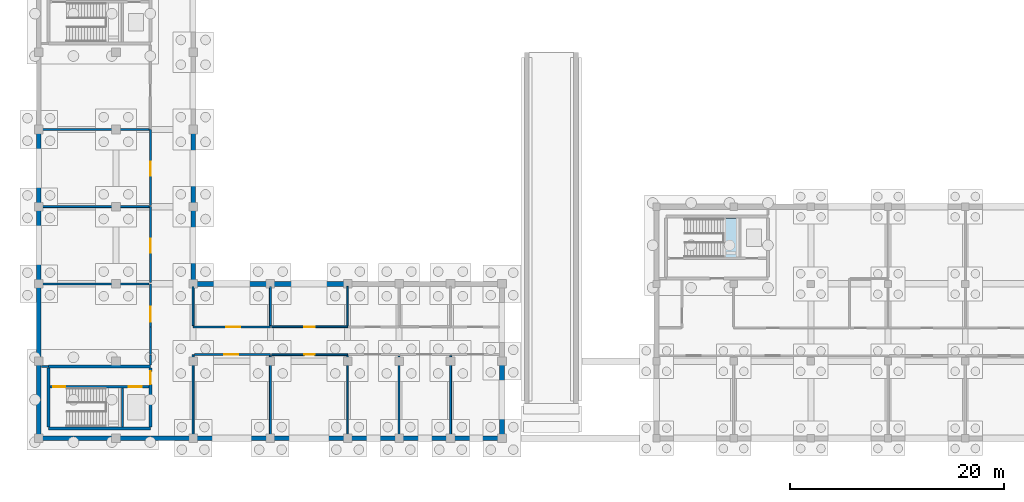
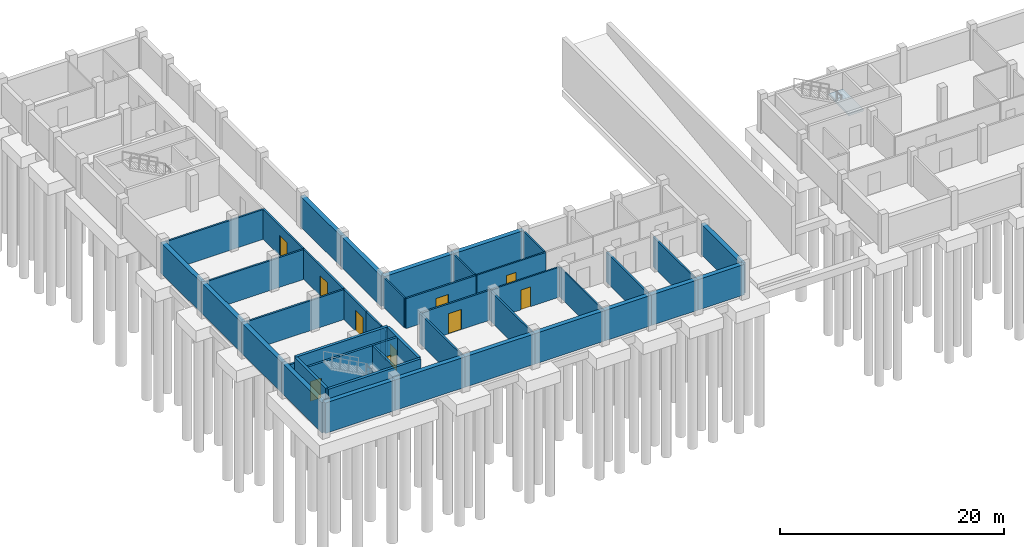
# One storey, part 4 of 10: 43 walls, 10 doors, 1 slab, 10 openings, 1 element without a shape of its own.
"""IFC4 building model written with IfcOpenShell, lengths in metres."""

from ifc_helpers import new_model, si_unit, direction, frame, frame_2d, origin, place, context, subcontext, project, spatial, polyline, rectangle, outline, extrude, material, layer, layer_set, type_object, element, fill, aggregate, save


model = new_model("IFC4")

# Units and contexts
model_context = context("Model", 3, precision=1e-05, world=origin(), true_north=direction((0.0, 1.0)))
body_context = subcontext(model_context, "Body", "Model", "MODEL_VIEW")
ifc_project = project(units=[si_unit("LENGTHUNIT", "METRE"), si_unit("AREAUNIT", "SQUARE_METRE"), si_unit("VOLUMEUNIT", "CUBIC_METRE"), si_unit("PLANEANGLEUNIT", "RADIAN"), si_unit("MASSUNIT", "GRAM", prefix="KILO")], contexts=[model_context])

# Site, building, storey
site_placement = place(None, origin())
site = spatial("IfcSite", under=ifc_project, at=site_placement, CompositionType="ELEMENT")
building_placement = place(site_placement, origin())
building = spatial("IfcBuilding", under=site, at=building_placement, Name="Zornivar Specialist Clinic", CompositionType="ELEMENT")
storey_placement = place(building_placement, frame((0.0, 0.0, -4.199951171875)))
storey = spatial("IfcBuildingStorey", under=building, at=storey_placement, Name="B1", CompositionType="ELEMENT", Elevation=-4.199951171875)

# Stair, slab
ifc_material_1 = material(Name="Concrete C30/37", Category="concrete")
stair_type = type_object("IfcStairType", Name="STR-CORE-B1-L00", PredefinedType="HALF_TURN_STAIR", material=ifc_material_1)
stair_placement = place(storey_placement, origin())
stair = element("IfcStair", 1, at=stair_placement, inside=storey, type_object=stair_type, Name="stair:C5:B1", PredefinedType="HALF_TURN_STAIR")
ifc_material_2 = material(Name="Concrete C30/37", Category="concrete")
ifc_layer_1 = layer(ifc_material_2, 0.2099609375)
ifc_layer_set_1 = layer_set([ifc_layer_1], Name="Concrete C30/37")
slab_type = type_object("IfcSlabType", Name="SLB-LANDING-210", PredefinedType="LANDING", material=ifc_layer_set_1)
slab_placement = place(storey_placement, frame((0.0, 0.0, 1.889892578125)))
slab = element("IfcSlab", 2, at=slab_placement, type_object=slab_type, Name="stair:C5:B1:land", PredefinedType="LANDING", context=body_context, shape_type="SweptSolid", body=[
    extrude(outline(polyline([(63.820068359375, 16.8798828125), (65.320068359375, 16.8798828125), (65.320068359375, 20.52001953125), (63.820068359375, 20.52001953125), (63.820068359375, 16.8798828125)])), origin(), (0.0, 0.0, 1.0), 0.2099609375),
])
aggregate(stair, [slab])

# Walls
ifc_material_3 = material(Name="Acoustic Clinical Stud Partition")
ifc_layer_2 = layer(ifc_material_3, 0.139892578125)
ifc_layer_set_2 = layer_set([ifc_layer_2], Name="Acoustic Clinical Stud Partition")
wall_type_1 = type_object("IfcWallType", Name="IW-CLIN-140", PredefinedType="PARTITIONING", material=ifc_layer_set_2)
wall_1_placement = place(storey_placement, frame((28.800048828125, 7.7060546875, 0.0), z_axis=(0.0, 0.0, 1.0), x_axis=(0.0, -1.0, 0.0)))
element("IfcWall", 3, at=wall_1_placement, inside=storey, type_object=wall_type_1, Name="iw:B1:026", PredefinedType="PARTITIONING", context=body_context, shape_type="SweptSolid", body=[
    extrude(rectangle(XDim=7.466064453125, YDim=0.139892578125, at=frame_2d((3.73291015625, 0.0))), origin(), (0.0, 0.0, 1.0), 3.260009765625),
])
wall_2_placement = place(storey_placement, frame((28.800048828125, 14.159912109375, 0.0), z_axis=(0.0, 0.0, 1.0), x_axis=(0.0, -1.0, 0.0)))
element("IfcWall", 4, at=wall_2_placement, inside=storey, type_object=wall_type_1, Name="iw:B1:028", PredefinedType="PARTITIONING", context=body_context, shape_type="SweptSolid", body=[
    extrude(rectangle(XDim=3.666015625, YDim=0.139892578125, at=frame_2d((1.8330078125, 0.0))), origin(), (0.0, 0.0, 1.0), 3.260009765625),
])

# Wall, opening, door
ifc_material_4 = material(Name="Fire-Compartment Shaft-Liner Partition")
ifc_layer_3 = layer(ifc_material_4, 0.179931640625)
ifc_layer_set_3 = layer_set([ifc_layer_3], Name="Fire-Compartment Shaft-Liner Partition")
wall_type_2 = type_object("IfcWallType", Name="IW-COMP-EI90-180", PredefinedType="PARTITIONING", material=ifc_layer_set_3)
wall_3_placement = place(storey_placement, frame((10.39990234375, 21.60009765625, 0.0), z_axis=(0.0, 0.0, 1.0), x_axis=(0.0, -1.0, 0.0)))
wall_3 = element("IfcWall", 5, at=wall_3_placement, inside=storey, type_object=wall_type_2, Name="iw:B1:005", PredefinedType="PARTITIONING", context=body_context, shape_type="SweptSolid", body=[
    extrude(rectangle(XDim=7.091064453125, YDim=0.179931640625, at=frame_2d((3.54541015625, 0.0))), origin(), (0.0, 0.0, 1.0), 3.260009765625),
])
opening_1_placement = place(wall_3_placement, frame((3.010986328125, 0.0, 0.0)))
opening_1 = element("IfcOpeningElement", 6, at=opening_1_placement, cuts=wall_3, Name="Opening FD-05", PredefinedType="OPENING", context=body_context, shape_type="SweptSolid", body=[
    extrude(rectangle(XDim=1.300048828125, YDim=2.199951171875, at=frame_2d((0.64990234375, 1.10009765625))), frame((0.0, 0.099853515625, 0.0), z_axis=(0.0, -1.0, 0.0), x_axis=(1.0, 0.0, 0.0)), (0.0, 0.0, 1.0), 0.199951171875),
])
ifc_material_5 = material(Name="Solid-Core Hygienic Laminate Timber Door", Category="wood")
door_type_1 = type_object("IfcDoorType", Name="FD-PLANT-1300x2200", OperationType="NOTDEFINED", PredefinedType="DOOR", material=ifc_material_5)
door_1_placement = place(opening_1_placement, origin())
door_1 = element("IfcDoor", 7, at=door_1_placement, inside=storey, type_object=door_type_1, Name="door:space:V2:B1:rm:01", OperationType="SINGLE_SWING_LEFT", OverallHeight=2.199951171875, OverallWidth=1.300048828125, PredefinedType="DOOR", context=body_context, shape_type="SweptSolid", body=[
    extrude(rectangle(XDim=1.300048828125, YDim=2.199951171875, at=frame_2d((0.64990234375, 1.10009765625))), frame((0.0, 0.02490234375, 0.0), z_axis=(0.0, -1.0, 0.0), x_axis=(1.0, 0.0, 0.0)), (0.0, 0.0, 1.0), 0.050048828125),
])
fill(opening_1, door_1)

# Wall
wall_4_placement = place(storey_placement, frame((0.239990234375, 21.60009765625, 0.0), z_axis=(0.0, 0.0, 1.0), x_axis=(1.0, 0.0, 0.0)))
element("IfcWall", 8, at=wall_4_placement, inside=storey, type_object=wall_type_2, Name="iw:B1:006", PredefinedType="PARTITIONING", context=body_context, shape_type="SweptSolid", body=[
    extrude(rectangle(XDim=10.055908203125, YDim=0.179931640625, at=frame_2d((5.02783203125, 0.0))), origin(), (0.0, 0.0, 1.0), 3.260009765625),
])

# Wall, opening, door
wall_5_placement = place(storey_placement, frame((10.39990234375, 28.800048828125, 0.0), z_axis=(0.0, 0.0, 1.0), x_axis=(0.0, -1.0, 0.0)))
wall_5 = element("IfcWall", 9, at=wall_5_placement, inside=storey, type_object=wall_type_2, Name="iw:B1:007", PredefinedType="PARTITIONING", context=body_context, shape_type="SweptSolid", body=[
    extrude(rectangle(XDim=7.095947265625, YDim=0.179931640625, at=frame_2d((3.5478515625, 0.0))), origin(), (0.0, 0.0, 1.0), 3.260009765625),
])
opening_2_placement = place(wall_5_placement, frame((3.012939453125, 0.0, 0.0)))
opening_2 = element("IfcOpeningElement", 10, at=opening_2_placement, cuts=wall_5, Name="Opening FD-05", PredefinedType="OPENING", context=body_context, shape_type="SweptSolid", body=[
    extrude(rectangle(XDim=1.300048828125, YDim=2.199951171875, at=frame_2d((0.64990234375, 1.10009765625))), frame((0.0, 0.099853515625, 0.0), z_axis=(0.0, -1.0, 0.0), x_axis=(1.0, 0.0, 0.0)), (0.0, 0.0, 1.0), 0.199951171875),
])
door_2_placement = place(opening_2_placement, origin())
door_2 = element("IfcDoor", 11, at=door_2_placement, inside=storey, type_object=door_type_1, Name="door:space:V2:B1:rm:02", OperationType="SINGLE_SWING_RIGHT", OverallHeight=2.199951171875, OverallWidth=1.300048828125, PredefinedType="DOOR", context=body_context, shape_type="SweptSolid", body=[
    extrude(rectangle(XDim=1.300048828125, YDim=2.199951171875, at=frame_2d((0.64990234375, 1.10009765625))), frame((0.0, 0.02490234375, 0.0), z_axis=(0.0, -1.0, 0.0), x_axis=(1.0, 0.0, 0.0)), (0.0, 0.0, 1.0), 0.050048828125),
])
fill(opening_2, door_2)

# Walls
wall_6_placement = place(storey_placement, frame((0.239990234375, 28.800048828125, 0.0), z_axis=(0.0, 0.0, 1.0), x_axis=(1.0, 0.0, 0.0)))
element("IfcWall", 12, at=wall_6_placement, inside=storey, type_object=wall_type_2, Name="iw:B1:008", PredefinedType="PARTITIONING", context=body_context, shape_type="SweptSolid", body=[
    extrude(rectangle(XDim=10.055908203125, YDim=0.179931640625, at=frame_2d((5.02783203125, 0.0))), origin(), (0.0, 0.0, 1.0), 3.260009765625),
])
wall_7_placement = place(storey_placement, frame((14.39990234375, 0.239990234375, 0.0), z_axis=(0.0, 0.0, 1.0), x_axis=(0.0, 1.0, 0.0)))
element("IfcWall", 13, at=wall_7_placement, inside=storey, type_object=wall_type_2, Name="iw:B1:019", PredefinedType="PARTITIONING", context=body_context, shape_type="SweptSolid", body=[
    extrude(rectangle(XDim=7.56005859375, YDim=0.179931640625, at=frame_2d((3.780029296875, 0.0))), origin(), (0.0, 0.0, 1.0), 3.260009765625),
])

# Wall, opening, door
wall_8_placement = place(storey_placement, frame((14.50390625, 7.800048828125, 0.0), z_axis=(0.0, 0.0, 1.0), x_axis=(1.0, 0.0, 0.0)))
wall_8 = element("IfcWall", 14, at=wall_8_placement, inside=storey, type_object=wall_type_2, Name="iw:B1:020", PredefinedType="PARTITIONING", context=body_context, shape_type="SweptSolid", body=[
    extrude(rectangle(XDim=7.09619140625, YDim=0.179931640625, at=frame_2d((3.548095703125, 0.0))), origin(), (0.0, 0.0, 1.0), 3.260009765625),
])
opening_3_placement = place(wall_8_placement, frame((2.782958984375, 0.0, 0.0)))
opening_3 = element("IfcOpeningElement", 15, at=opening_3_placement, cuts=wall_8, Name="Opening FD-05", PredefinedType="OPENING", context=body_context, shape_type="SweptSolid", body=[
    extrude(rectangle(XDim=1.300048828125, YDim=2.199951171875, at=frame_2d((0.64990234375, 1.10009765625))), frame((0.0, 0.099853515625, 0.0), z_axis=(0.0, -1.0, 0.0), x_axis=(1.0, 0.0, 0.0)), (0.0, 0.0, 1.0), 0.199951171875),
])
door_3_placement = place(opening_3_placement, origin())
door_3 = element("IfcDoor", 16, at=door_3_placement, inside=storey, type_object=door_type_1, Name="door:space:V2:B1:rm:08", OperationType="SINGLE_SWING_RIGHT", OverallHeight=2.199951171875, OverallWidth=1.300048828125, PredefinedType="DOOR", context=body_context, shape_type="SweptSolid", body=[
    extrude(rectangle(XDim=1.300048828125, YDim=2.199951171875, at=frame_2d((0.64990234375, 1.10009765625))), frame((0.0, 0.02490234375, 0.0), z_axis=(0.0, -1.0, 0.0), x_axis=(1.0, 0.0, 0.0)), (0.0, 0.0, 1.0), 0.050048828125),
])
fill(opening_3, door_3)

# Wall
wall_9_placement = place(storey_placement, frame((21.60009765625, 7.696044921875, 0.0), z_axis=(0.0, 0.0, 1.0), x_axis=(0.0, -1.0, 0.0)))
element("IfcWall", 17, at=wall_9_placement, inside=storey, type_object=wall_type_2, Name="iw:B1:021", PredefinedType="PARTITIONING", context=body_context, shape_type="SweptSolid", body=[
    extrude(rectangle(XDim=7.4560546875, YDim=0.179931640625, at=frame_2d((3.72802734375, 0.0))), origin(), (0.0, 0.0, 1.0), 3.260009765625),
])

# Wall, opening, door
wall_10_placement = place(storey_placement, frame((21.60009765625, 10.39990234375, 0.0), z_axis=(0.0, 0.0, 1.0), x_axis=(-1.0, 0.0, 0.0)))
wall_10 = element("IfcWall", 18, at=wall_10_placement, inside=storey, type_object=wall_type_2, Name="iw:B1:022", PredefinedType="PARTITIONING", context=body_context, shape_type="SweptSolid", body=[
    extrude(rectangle(XDim=7.2001953125, YDim=0.179931640625, at=frame_2d((3.60009765625, 0.0))), origin(), (0.0, 0.0, 1.0), 3.260009765625),
])
opening_4_placement = place(wall_10_placement, frame((2.83203125, 0.0, 0.0)))
opening_4 = element("IfcOpeningElement", 19, at=opening_4_placement, cuts=wall_10, Name="Opening FD-05", PredefinedType="OPENING", context=body_context, shape_type="SweptSolid", body=[
    extrude(rectangle(XDim=1.300048828125, YDim=2.199951171875, at=frame_2d((0.64990234375, 1.10009765625))), frame((0.0, 0.099853515625, 0.0), z_axis=(0.0, -1.0, 0.0), x_axis=(1.0, 0.0, 0.0)), (0.0, 0.0, 1.0), 0.199951171875),
])
door_4_placement = place(opening_4_placement, origin())
door_4 = element("IfcDoor", 20, at=door_4_placement, inside=storey, type_object=door_type_1, Name="door:space:V2:B1:rm:09", OperationType="SINGLE_SWING_LEFT", OverallHeight=2.199951171875, OverallWidth=1.300048828125, PredefinedType="DOOR", context=body_context, shape_type="SweptSolid", body=[
    extrude(rectangle(XDim=1.300048828125, YDim=2.199951171875, at=frame_2d((0.64990234375, 1.10009765625))), frame((0.0, 0.02490234375, 0.0), z_axis=(0.0, -1.0, 0.0), x_axis=(1.0, 0.0, 0.0)), (0.0, 0.0, 1.0), 0.050048828125),
])
fill(opening_4, door_4)

# Walls
for number, where, z_axis, x_axis, name in (
    (21, (14.39990234375, 10.50390625, 0.0), (0.0, 0.0, 1.0), (0.0, 1.0, 0.0), "iw:B1:023"),
    (22, (21.60009765625, 14.159912109375, 0.0), (0.0, 0.0, 1.0), (0.0, -1.0, 0.0), "iw:B1:024"),
):
    element("IfcWall", number, at=place(storey_placement, frame(where, z_axis=z_axis, x_axis=x_axis)), inside=storey, type_object=wall_type_2, Name=name, PredefinedType="PARTITIONING", context=body_context, shape_type="SweptSolid", body=[
        extrude(rectangle(XDim=3.656005859375, YDim=0.179931640625, at=frame_2d((1.828125, 0.0))), origin(), (0.0, 0.0, 1.0), 3.260009765625),
    ])
wall_11_placement = place(storey_placement, frame((38.39990234375, 7.696044921875, 0.0), z_axis=(0.0, 0.0, 1.0), x_axis=(0.0, -1.0, 0.0)))
element("IfcWall", 23, at=wall_11_placement, inside=storey, type_object=wall_type_2, Name="iw:B1:034", PredefinedType="PARTITIONING", context=body_context, shape_type="SweptSolid", body=[
    extrude(rectangle(XDim=7.4560546875, YDim=0.179931640625, at=frame_2d((3.72802734375, 0.0))), origin(), (0.0, 0.0, 1.0), 3.260009765625),
])

# Wall, opening, door
ifc_material_6 = material(Name="Gypsum Fire-Rated Double Stud Partition")
ifc_layer_4 = layer(ifc_material_6, 0.159912109375)
ifc_layer_set_4 = layer_set([ifc_layer_4], Name="Gypsum Fire-Rated Double Stud Partition")
wall_type_3 = type_object("IfcWallType", Name="IW-CORR-EI60-160", PredefinedType="PARTITIONING", material=ifc_layer_set_4)
wall_12_placement = place(storey_placement, frame((21.7041015625, 7.800048828125, 0.0), z_axis=(0.0, 0.0, 1.0), x_axis=(1.0, 0.0, 0.0)))
wall_12 = element("IfcWall", 24, at=wall_12_placement, inside=storey, type_object=wall_type_3, Name="iw:B1:025", PredefinedType="PARTITIONING", context=body_context, shape_type="SweptSolid", body=[
    extrude(rectangle(XDim=7.095947265625, YDim=0.159912109375, at=frame_2d((3.5478515625, 0.0))), origin(), (0.0, 0.0, 1.0), 3.260009765625),
])
opening_5_placement = place(wall_12_placement, frame((3.05810546875, 0.0, 0.0)))
opening_5 = element("IfcOpeningElement", 25, at=opening_5_placement, cuts=wall_12, Name="Opening ID-09", PredefinedType="OPENING", context=body_context, shape_type="SweptSolid", body=[
    extrude(rectangle(XDim=0.97998046875, YDim=2.14990234375, at=frame_2d((0.489990234375, 1.074951171875))), frame((0.0, 0.08984375, 0.0), z_axis=(0.0, -1.0, 0.0), x_axis=(1.0, 0.0, 0.0)), (0.0, 0.0, 1.0), 0.179931640625),
])
ifc_material_7 = material(Name="Solid-Core Hygienic Laminate Timber Door", Category="wood")
door_type_2 = type_object("IfcDoorType", Name="ID-STAFF-0980x2150", OperationType="NOTDEFINED", PredefinedType="DOOR", material=ifc_material_7)
door_5_placement = place(opening_5_placement, origin())
door_5 = element("IfcDoor", 26, at=door_5_placement, inside=storey, type_object=door_type_2, Name="door:space:V2:B1:rm:10", OperationType="SINGLE_SWING_RIGHT", OverallHeight=2.14990234375, OverallWidth=0.97998046875, PredefinedType="DOOR", context=body_context, shape_type="SweptSolid", body=[
    extrude(rectangle(XDim=0.97998046875, YDim=2.14990234375, at=frame_2d((0.489990234375, 1.074951171875))), frame((0.0, 0.02490234375, 0.0), z_axis=(0.0, -1.0, 0.0), x_axis=(1.0, 0.0, 0.0)), (0.0, 0.0, 1.0), 0.050048828125),
])
fill(opening_5, door_5)

wall_13_placement = place(storey_placement, frame((28.800048828125, 10.39990234375, 0.0), z_axis=(0.0, 0.0, 1.0), x_axis=(-1.0, 0.0, 0.0)))
wall_13 = element("IfcWall", 27, at=wall_13_placement, inside=storey, type_object=wall_type_3, Name="iw:B1:027", PredefinedType="PARTITIONING", context=body_context, shape_type="SweptSolid", body=[
    extrude(rectangle(XDim=7.095947265625, YDim=0.159912109375, at=frame_2d((3.5478515625, 0.0))), origin(), (0.0, 0.0, 1.0), 3.260009765625),
])
opening_6_placement = place(wall_13_placement, frame((3.05810546875, 0.0, 0.0)))
opening_6 = element("IfcOpeningElement", 28, at=opening_6_placement, cuts=wall_13, Name="Opening ID-09", PredefinedType="OPENING", context=body_context, shape_type="SweptSolid", body=[
    extrude(rectangle(XDim=0.97998046875, YDim=2.14990234375, at=frame_2d((0.489990234375, 1.074951171875))), frame((0.0, 0.08984375, 0.0), z_axis=(0.0, -1.0, 0.0), x_axis=(1.0, 0.0, 0.0)), (0.0, 0.0, 1.0), 0.179931640625),
])
door_6_placement = place(opening_6_placement, origin())
door_6 = element("IfcDoor", 29, at=door_6_placement, inside=storey, type_object=door_type_2, Name="door:space:V2:B1:rm:11", OperationType="SINGLE_SWING_LEFT", OverallHeight=2.14990234375, OverallWidth=0.97998046875, PredefinedType="DOOR", context=body_context, shape_type="SweptSolid", body=[
    extrude(rectangle(XDim=0.97998046875, YDim=2.14990234375, at=frame_2d((0.489990234375, 1.074951171875))), frame((0.0, 0.02490234375, 0.0), z_axis=(0.0, -1.0, 0.0), x_axis=(1.0, 0.0, 0.0)), (0.0, 0.0, 1.0), 0.050048828125),
])
fill(opening_6, door_6)

ifc_material_8 = material(Name="GMP Cleanroom Insulated Double Partition")
ifc_layer_5 = layer(ifc_material_8, 0.18994140625)
ifc_layer_set_5 = layer_set([ifc_layer_5], Name="GMP Cleanroom Insulated Double Partition")
wall_type_4 = type_object("IfcWallType", Name="IW-PHARM-GMP-190", PredefinedType="PARTITIONING", material=ifc_layer_set_5)
wall_14_placement = place(storey_placement, frame((10.39990234375, 14.39990234375, 0.0), z_axis=(0.0, 0.0, 1.0), x_axis=(0.0, -1.0, 0.0)))
wall_14 = element("IfcWall", 30, at=wall_14_placement, inside=storey, type_object=wall_type_4, Name="iw:B1:000", PredefinedType="PARTITIONING", context=body_context, shape_type="SweptSolid", body=[
    extrude(rectangle(XDim=4.0, YDim=0.18994140625, at=frame_2d((2.0, 0.0))), origin(), (0.0, 0.0, 1.0), 3.260009765625),
])
opening_7_placement = place(wall_14_placement, frame((2.1201171875, 0.0, 0.0)))
opening_7 = element("IfcOpeningElement", 31, at=opening_7_placement, cuts=wall_14, Name="Opening FD-04", PredefinedType="OPENING", context=body_context, shape_type="SweptSolid", body=[
    extrude(rectangle(XDim=1.39990234375, YDim=2.25, at=frame_2d((0.699951171875, 1.125))), frame((0.0, 0.10498046875, 0.0), z_axis=(0.0, -1.0, 0.0), x_axis=(1.0, 0.0, 0.0)), (0.0, 0.0, 1.0), 0.2099609375),
])
ifc_material_9 = material(Name="Solid-Core Hygienic Laminate Timber Door", Category="wood")
door_type_3 = type_object("IfcDoorType", Name="FD-STERILE-1400x2250", OperationType="NOTDEFINED", PredefinedType="DOOR", material=ifc_material_9)
door_7_placement = place(opening_7_placement, origin())
door_7 = element("IfcDoor", 32, at=door_7_placement, inside=storey, type_object=door_type_3, Name="door:space:V2:B1:rm:00", OperationType="DOUBLE_DOOR_SINGLE_SWING", OverallHeight=2.25, OverallWidth=1.39990234375, PredefinedType="DOOR", context=body_context, shape_type="SweptSolid", body=[
    extrude(rectangle(XDim=1.39990234375, YDim=2.25, at=frame_2d((0.699951171875, 1.125))), frame((0.0, 0.02490234375, 0.0), z_axis=(0.0, -1.0, 0.0), x_axis=(1.0, 0.0, 0.0)), (0.0, 0.0, 1.0), 0.050048828125),
])
fill(opening_7, door_7)

# Walls
wall_15_placement = place(storey_placement, frame((10.39990234375, 10.387939453125, 0.0), z_axis=(0.0, 0.0, 1.0), x_axis=(0.0, -1.0, 0.0)))
element("IfcWall", 33, at=wall_15_placement, inside=storey, type_object=wall_type_4, Name="iw:B1:001", PredefinedType="PARTITIONING", context=body_context, shape_type="SweptSolid", body=[
    extrude(rectangle(XDim=2.587890625, YDim=0.18994140625, at=frame_2d((1.2939453125, 0.0))), origin(), (0.0, 0.0, 1.0), 3.260009765625),
])
wall_16_placement = place(storey_placement, frame((10.39990234375, 7.7880859375, 0.0), z_axis=(0.0, 0.0, 1.0), x_axis=(0.0, -1.0, 0.0)))
element("IfcWall", 34, at=wall_16_placement, inside=storey, type_object=wall_type_4, Name="iw:B1:002", PredefinedType="PARTITIONING", context=body_context, shape_type="SweptSolid", body=[
    extrude(rectangle(XDim=0.93310546875, YDim=0.18994140625, at=frame_2d((0.466552734375, 0.0))), origin(), (0.0, 0.0, 1.0), 3.260009765625),
])
wall_17_placement = place(storey_placement, frame((0.89990234375, 6.699951171875, 0.0), z_axis=(0.0, 0.0, 1.0), x_axis=(-1.0, 0.0, 0.0)))
element("IfcWall", 35, at=wall_17_placement, inside=storey, type_object=wall_type_4, Name="iw:B1:003", PredefinedType="PARTITIONING", context=body_context, shape_type="SweptSolid", body=[
    extrude(rectangle(XDim=0.659912109375, YDim=0.18994140625, at=frame_2d((0.330078125, 0.0))), origin(), (0.0, 0.0, 1.0), 3.260009765625),
])
wall_18_placement = place(storey_placement, frame((0.239990234375, 14.39990234375, 0.0), z_axis=(0.0, 0.0, 1.0), x_axis=(1.0, 0.0, 0.0)))
element("IfcWall", 36, at=wall_18_placement, inside=storey, type_object=wall_type_4, Name="iw:B1:004", PredefinedType="PARTITIONING", context=body_context, shape_type="SweptSolid", body=[
    extrude(rectangle(XDim=10.051025390625, YDim=0.18994140625, at=frame_2d((5.025390625, 0.0))), origin(), (0.0, 0.0, 1.0), 3.260009765625),
])
wall_19_placement = place(storey_placement, frame((33.60009765625, 7.69091796875, 0.0), z_axis=(0.0, 0.0, 1.0), x_axis=(0.0, -1.0, 0.0)))
element("IfcWall", 37, at=wall_19_placement, inside=storey, type_object=wall_type_4, Name="iw:B1:030", PredefinedType="PARTITIONING", context=body_context, shape_type="SweptSolid", body=[
    extrude(rectangle(XDim=7.450927734375, YDim=0.18994140625, at=frame_2d((3.7255859375, 0.0))), origin(), (0.0, 0.0, 1.0), 3.260009765625),
])
ifc_material_10 = material(Name="Concrete C35/45 Waterproofed Basement Retaining Wall", Category="concrete")
ifc_layer_6 = layer(ifc_material_10, 0.449951171875)
ifc_layer_set_6 = layer_set([ifc_layer_6], Name="Concrete C35/45 Waterproofed Basement Retaining Wall")
wall_type_5 = type_object("IfcWallType", Name="RW-B1-RETAIN-450", PredefinedType="ELEMENTEDWALL", material=ifc_layer_set_6)
for number, where, z_axis, x_axis, name in (
    (38, (0.0, 0.0, 0.0), (0.0, 0.0, 1.0), (1.0, 0.0, 0.0), "rw:V2:B1:00"),
    (39, (7.199951171875, 0.0, 0.0), (0.0, 0.0, 1.0), (1.0, 0.0, 0.0), "rw:V2:B1:01"),
):
    element("IfcWall", number, at=place(storey_placement, frame(where, z_axis=z_axis, x_axis=x_axis)), inside=storey, type_object=wall_type_5, Name=name, PredefinedType="ELEMENTEDWALL", context=body_context, shape_type="SweptSolid", body=[
        extrude(rectangle(XDim=7.199951171875, YDim=0.449951171875, at=frame_2d((3.60009765625, 0.0))), origin(), (0.0, 0.0, 1.0), 3.320068359375),
    ])
wall_20_placement = place(storey_placement, frame((14.39990234375, 0.0, 0.0), z_axis=(0.0, 0.0, 1.0), x_axis=(1.0, 0.0, 0.0)))
element("IfcWall", 40, at=wall_20_placement, inside=storey, type_object=wall_type_5, Name="rw:V2:B1:02", PredefinedType="ELEMENTEDWALL", context=body_context, shape_type="SweptSolid", body=[
    extrude(rectangle(XDim=7.2001953125, YDim=0.449951171875, at=frame_2d((3.60009765625, 0.0))), origin(), (0.0, 0.0, 1.0), 3.320068359375),
])
wall_21_placement = place(storey_placement, frame((21.60009765625, 0.0, 0.0), z_axis=(0.0, 0.0, 1.0), x_axis=(1.0, 0.0, 0.0)))
element("IfcWall", 41, at=wall_21_placement, inside=storey, type_object=wall_type_5, Name="rw:V2:B1:03", PredefinedType="ELEMENTEDWALL", context=body_context, shape_type="SweptSolid", body=[
    extrude(rectangle(XDim=7.199951171875, YDim=0.449951171875, at=frame_2d((3.60009765625, 0.0))), origin(), (0.0, 0.0, 1.0), 3.320068359375),
])
wall_22_placement = place(storey_placement, frame((28.800048828125, 0.0, 0.0), z_axis=(0.0, 0.0, 1.0), x_axis=(1.0, 0.0, 0.0)))
element("IfcWall", 42, at=wall_22_placement, inside=storey, type_object=wall_type_5, Name="rw:V2:B1:04", PredefinedType="ELEMENTEDWALL", context=body_context, shape_type="SweptSolid", body=[
    extrude(rectangle(XDim=4.800048828125, YDim=0.449951171875, at=frame_2d((2.39990234375, 0.0))), origin(), (0.0, 0.0, 1.0), 3.320068359375),
])
wall_23_placement = place(storey_placement, frame((33.60009765625, 0.0, 0.0), z_axis=(0.0, 0.0, 1.0), x_axis=(1.0, 0.0, 0.0)))
element("IfcWall", 43, at=wall_23_placement, inside=storey, type_object=wall_type_5, Name="rw:V2:B1:05", PredefinedType="ELEMENTEDWALL", context=body_context, shape_type="SweptSolid", body=[
    extrude(rectangle(XDim=4.7998046875, YDim=0.449951171875, at=frame_2d((2.39990234375, 0.0))), origin(), (0.0, 0.0, 1.0), 3.320068359375),
])
wall_24_placement = place(storey_placement, frame((38.39990234375, 0.0, 0.0), z_axis=(0.0, 0.0, 1.0), x_axis=(1.0, 0.0, 0.0)))
element("IfcWall", 44, at=wall_24_placement, inside=storey, type_object=wall_type_5, Name="rw:V2:B1:06", PredefinedType="ELEMENTEDWALL", context=body_context, shape_type="SweptSolid", body=[
    extrude(rectangle(XDim=4.800048828125, YDim=0.449951171875, at=frame_2d((2.39990234375, 0.0))), origin(), (0.0, 0.0, 1.0), 3.320068359375),
])
for number, where, z_axis, x_axis, name in (
    (45, (43.199951171875, 0.0, 0.0), (0.0, 0.0, 1.0), (0.0, 1.0, 0.0), "rw:V2:B1:07"),
    (46, (28.800048828125, 14.39990234375, 0.0), (0.0, 0.0, 1.0), (-1.0, 0.0, 0.0), "rw:V2:B1:12"),
):
    element("IfcWall", number, at=place(storey_placement, frame(where, z_axis=z_axis, x_axis=x_axis)), inside=storey, type_object=wall_type_5, Name=name, PredefinedType="ELEMENTEDWALL", context=body_context, shape_type="SweptSolid", body=[
        extrude(rectangle(XDim=7.199951171875, YDim=0.449951171875, at=frame_2d((3.60009765625, 0.0))), origin(), (0.0, 0.0, 1.0), 3.320068359375),
    ])
for number, where, z_axis, x_axis, name in (
    (47, (21.60009765625, 14.39990234375, 0.0), (0.0, 0.0, 1.0), (-1.0, 0.0, 0.0), "rw:V2:B1:13"),
    (48, (14.39990234375, 14.39990234375, 0.0), (0.0, 0.0, 1.0), (0.0, 1.0, 0.0), "rw:V2:B1:14"),
):
    element("IfcWall", number, at=place(storey_placement, frame(where, z_axis=z_axis, x_axis=x_axis)), inside=storey, type_object=wall_type_5, Name=name, PredefinedType="ELEMENTEDWALL", context=body_context, shape_type="SweptSolid", body=[
        extrude(rectangle(XDim=7.2001953125, YDim=0.449951171875, at=frame_2d((3.60009765625, 0.0))), origin(), (0.0, 0.0, 1.0), 3.320068359375),
    ])
for number, where, z_axis, x_axis, name in (
    (49, (14.39990234375, 21.60009765625, 0.0), (0.0, 0.0, 1.0), (0.0, 1.0, 0.0), "rw:V2:B1:15"),
    (50, (0.0, 28.800048828125, 0.0), (0.0, 0.0, 1.0), (0.0, -1.0, 0.0), "rw:V2:B1:28"),
):
    element("IfcWall", number, at=place(storey_placement, frame(where, z_axis=z_axis, x_axis=x_axis)), inside=storey, type_object=wall_type_5, Name=name, PredefinedType="ELEMENTEDWALL", context=body_context, shape_type="SweptSolid", body=[
        extrude(rectangle(XDim=7.199951171875, YDim=0.449951171875, at=frame_2d((3.60009765625, 0.0))), origin(), (0.0, 0.0, 1.0), 3.320068359375),
    ])
wall_25_placement = place(storey_placement, frame((0.0, 21.60009765625, 0.0), z_axis=(0.0, 0.0, 1.0), x_axis=(0.0, -1.0, 0.0)))
element("IfcWall", 51, at=wall_25_placement, inside=storey, type_object=wall_type_5, Name="rw:V2:B1:29", PredefinedType="ELEMENTEDWALL", context=body_context, shape_type="SweptSolid", body=[
    extrude(rectangle(XDim=7.2001953125, YDim=0.449951171875, at=frame_2d((3.60009765625, 0.0))), origin(), (0.0, 0.0, 1.0), 3.320068359375),
])
for number, where, z_axis, x_axis, name in (
    (52, (0.0, 14.39990234375, 0.0), (0.0, 0.0, 1.0), (0.0, -1.0, 0.0), "rw:V2:B1:30"),
    (53, (0.0, 7.199951171875, 0.0), (0.0, 0.0, 1.0), (0.0, -1.0, 0.0), "rw:V2:B1:31"),
):
    element("IfcWall", number, at=place(storey_placement, frame(where, z_axis=z_axis, x_axis=x_axis)), inside=storey, type_object=wall_type_5, Name=name, PredefinedType="ELEMENTEDWALL", context=body_context, shape_type="SweptSolid", body=[
        extrude(rectangle(XDim=7.199951171875, YDim=0.449951171875, at=frame_2d((3.60009765625, 0.0))), origin(), (0.0, 0.0, 1.0), 3.320068359375),
    ])
ifc_material_11 = material(Name="Concrete C35/45", Category="concrete")
ifc_layer_7 = layer(ifc_material_11, 0.280029296875)
ifc_layer_set_7 = layer_set([ifc_layer_7], Name="Concrete C35/45")
wall_type_6 = type_object("IfcWallType", Name="SW-CORE-280", PredefinedType="SHEAR", material=ifc_layer_set_7)
wall_26_placement = place(storey_placement, frame((0.89990234375, 0.89990234375, 0.0), z_axis=(0.0, 0.0, 1.0), x_axis=(1.0, 0.0, 0.0)))
element("IfcWall", 54, at=wall_26_placement, inside=storey, type_object=wall_type_6, Name="sw:C1:B1:w0", PredefinedType="SHEAR", context=body_context, shape_type="SweptSolid", body=[
    extrude(rectangle(XDim=9.5, YDim=0.280029296875, at=frame_2d((4.75, 0.0))), origin(), (0.0, 0.0, 1.0), 3.89990234375),
])

# Wall, opening, door
wall_27_placement = place(storey_placement, frame((10.39990234375, 1.0400390625, 0.0), z_axis=(0.0, 0.0, 1.0), x_axis=(0.0, 1.0, 0.0)))
wall_27 = element("IfcWall", 55, at=wall_27_placement, inside=storey, type_object=wall_type_6, Name="sw:C1:B1:w1", PredefinedType="SHEAR", context=body_context, shape_type="SweptSolid", body=[
    extrude(rectangle(XDim=5.52001953125, YDim=0.280029296875, at=frame_2d((2.760009765625, 0.0))), origin(), (0.0, 0.0, 1.0), 3.89990234375),
])
opening_8_placement = place(wall_27_placement, frame((4.0, 0.0, 0.0)))
opening_8 = element("IfcOpeningElement", 56, at=opening_8_placement, cuts=wall_27, Name="Opening FD-01", PredefinedType="OPENING", context=body_context, shape_type="SweptSolid", body=[
    extrude(rectangle(XDim=1.199951171875, YDim=2.25, at=frame_2d((0.60009765625, 1.125))), frame((0.0, 0.14990234375, 0.0), z_axis=(0.0, -1.0, 0.0), x_axis=(1.0, 0.0, 0.0)), (0.0, 0.0, 1.0), 0.300048828125),
])
ifc_material_12 = material(Name="Solid-Core Hygienic Laminate Timber Door", Category="wood")
door_type_4 = type_object("IfcDoorType", Name="FD-LOBBY-MAIN-1200x2250", OperationType="NOTDEFINED", PredefinedType="DOOR", material=ifc_material_12)
door_8_placement = place(opening_8_placement, origin())
door_8 = element("IfcDoor", 57, at=door_8_placement, inside=storey, type_object=door_type_4, Name="door:C1:B1:lob", OperationType="SINGLE_SWING_RIGHT", OverallHeight=2.25, OverallWidth=1.199951171875, PredefinedType="DOOR", context=body_context, shape_type="SweptSolid", body=[
    extrude(rectangle(XDim=1.199951171875, YDim=2.25, at=frame_2d((0.60009765625, 1.125))), frame((0.0, 0.02490234375, 0.0), z_axis=(0.0, -1.0, 0.0), x_axis=(1.0, 0.0, 0.0)), (0.0, 0.0, 1.0), 0.050048828125),
])
fill(opening_8, door_8)

# Walls
wall_28_placement = place(storey_placement, frame((10.39990234375, 6.699951171875, 0.0), z_axis=(0.0, 0.0, 1.0), x_axis=(-1.0, 0.0, 0.0)))
element("IfcWall", 58, at=wall_28_placement, inside=storey, type_object=wall_type_6, Name="sw:C1:B1:w2", PredefinedType="SHEAR", context=body_context, shape_type="SweptSolid", body=[
    extrude(rectangle(XDim=9.5, YDim=0.280029296875, at=frame_2d((4.75, 0.0))), origin(), (0.0, 0.0, 1.0), 3.89990234375),
])
wall_29_placement = place(storey_placement, frame((0.89990234375, 6.56005859375, 0.0), z_axis=(0.0, 0.0, 1.0), x_axis=(0.0, -1.0, 0.0)))
element("IfcWall", 59, at=wall_29_placement, inside=storey, type_object=wall_type_6, Name="sw:C1:B1:w3", PredefinedType="SHEAR", context=body_context, shape_type="SweptSolid", body=[
    extrude(rectangle(XDim=5.52001953125, YDim=0.280029296875, at=frame_2d((2.760009765625, 0.0))), origin(), (0.0, 0.0, 1.0), 3.89990234375),
])
ifc_material_13 = material(Name="Concrete C30/37", Category="concrete")
ifc_layer_8 = layer(ifc_material_13, 0.199951171875)
ifc_layer_set_8 = layer_set([ifc_layer_8], Name="Concrete C30/37")
wall_type_7 = type_object("IfcWallType", Name="SW-LIFT-200", PredefinedType="SHEAR", material=ifc_layer_set_8)
wall_30_placement = place(storey_placement, frame((7.800048828125, 1.0400390625, 0.0), z_axis=(0.0, 0.0, 1.0), x_axis=(0.0, 1.0, 0.0)))
element("IfcWall", 60, at=wall_30_placement, inside=storey, type_object=wall_type_7, Name="sw:C1:B1:sdiv", PredefinedType="SHEAR", context=body_context, shape_type="SweptSolid", body=[
    extrude(rectangle(XDim=3.659912109375, YDim=0.199951171875, at=frame_2d((1.830078125, 0.0))), origin(), (0.0, 0.0, 1.0), 3.89990234375),
])

# Wall, openings, doors
ifc_material_14 = material(Name="Concrete C30/37", Category="concrete")
ifc_layer_9 = layer(ifc_material_14, 0.219970703125)
ifc_layer_set_9 = layer_set([ifc_layer_9], Name="Concrete C30/37")
wall_type_8 = type_object("IfcWallType", Name="SW-SHAFT-220", PredefinedType="SHEAR", material=ifc_layer_set_9)
wall_31_placement = place(storey_placement, frame((1.0400390625, 4.81005859375, 0.0), z_axis=(0.0, 0.0, 1.0), x_axis=(1.0, 0.0, 0.0)))
wall_31 = element("IfcWall", 61, at=wall_31_placement, inside=storey, type_object=wall_type_8, Name="sw:C1:B1:stwall", PredefinedType="SHEAR", context=body_context, shape_type="SweptSolid", body=[
    extrude(rectangle(XDim=9.219970703125, YDim=0.219970703125, at=frame_2d((4.60986328125, 0.0))), origin(), (0.0, 0.0, 1.0), 3.89990234375),
])
opening_9_placement = place(wall_31_placement, frame((0.31005859375, 0.0, 0.0)))
opening_9 = element("IfcOpeningElement", 62, at=opening_9_placement, cuts=wall_31, Name="Opening FD-02", PredefinedType="OPENING", context=body_context, shape_type="SweptSolid", body=[
    extrude(rectangle(XDim=1.10009765625, YDim=2.14990234375, at=frame_2d((0.550048828125, 1.074951171875))), frame((0.0, 0.119873046875, 0.0), z_axis=(0.0, -1.0, 0.0), x_axis=(1.0, 0.0, 0.0)), (0.0, 0.0, 1.0), 0.239990234375),
])
opening_10_placement = place(wall_31_placement, frame((7.360107421875, 0.0, 0.0)))
opening_10 = element("IfcOpeningElement", 63, at=opening_10_placement, cuts=wall_31, Name="Opening LD-01", PredefinedType="OPENING", context=body_context, shape_type="SweptSolid", body=[
    extrude(rectangle(XDim=1.199951171875, YDim=2.199951171875, at=frame_2d((0.60009765625, 1.10009765625))), frame((0.0, 0.119873046875, 0.0), z_axis=(0.0, -1.0, 0.0), x_axis=(1.0, 0.0, 0.0)), (0.0, 0.0, 1.0), 0.239990234375),
])
ifc_material_15 = material(Name="Solid-Core Hygienic Laminate Timber Door", Category="wood")
door_type_5 = type_object("IfcDoorType", Name="FD-STAIR-1100x2150", OperationType="NOTDEFINED", PredefinedType="DOOR", material=ifc_material_15)
door_9_placement = place(opening_9_placement, origin())
door_9 = element("IfcDoor", 64, at=door_9_placement, inside=storey, type_object=door_type_5, Name="door:C1:B1:stair", OperationType="SINGLE_SWING_LEFT", OverallHeight=2.14990234375, OverallWidth=1.10009765625, PredefinedType="DOOR", context=body_context, shape_type="SweptSolid", body=[
    extrude(rectangle(XDim=1.10009765625, YDim=2.14990234375, at=frame_2d((0.550048828125, 1.074951171875))), frame((0.0, 0.02490234375, 0.0), z_axis=(0.0, -1.0, 0.0), x_axis=(1.0, 0.0, 0.0)), (0.0, 0.0, 1.0), 0.050048828125),
])
fill(opening_9, door_9)
ifc_material_16 = material(Name="Stainless Steel Lift Landing Sliding Door", Category="steel")
door_type_6 = type_object("IfcDoorType", Name="LD-LIFT-1200x2200", OperationType="NOTDEFINED", PredefinedType="DOOR", material=ifc_material_16)
door_10_placement = place(opening_10_placement, origin())
door_10 = element("IfcDoor", 65, at=door_10_placement, inside=storey, type_object=door_type_6, Name="door:C1:B1:lift", OperationType="DOUBLE_DOOR_SLIDING", OverallHeight=2.199951171875, OverallWidth=1.199951171875, PredefinedType="DOOR", context=body_context, shape_type="SweptSolid", body=[
    extrude(rectangle(XDim=1.199951171875, YDim=2.199951171875, at=frame_2d((0.60009765625, 1.10009765625))), frame((0.0, 0.02490234375, 0.0), z_axis=(0.0, -1.0, 0.0), x_axis=(1.0, 0.0, 0.0)), (0.0, 0.0, 1.0), 0.050048828125),
])
fill(opening_10, door_10)

save(model, "model.ifc")
